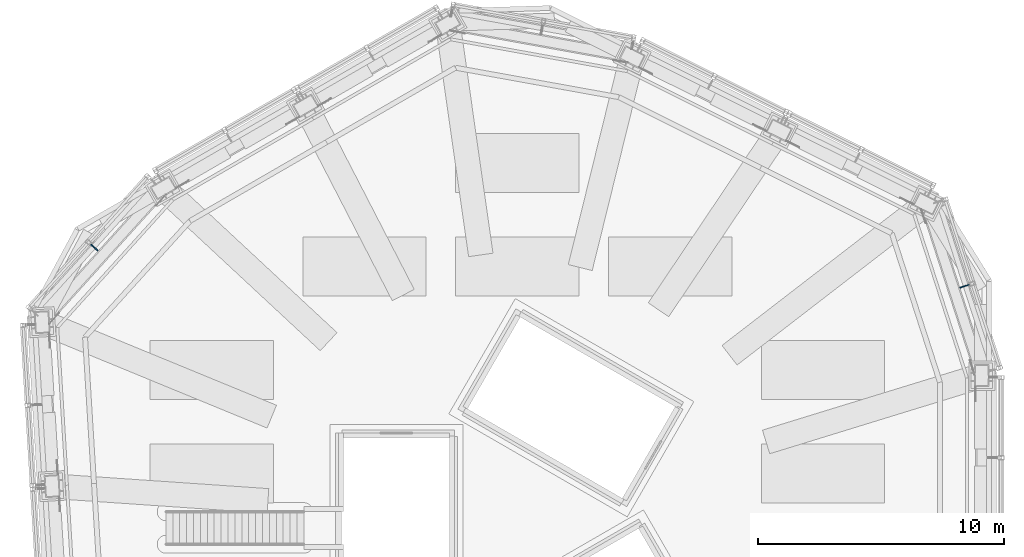
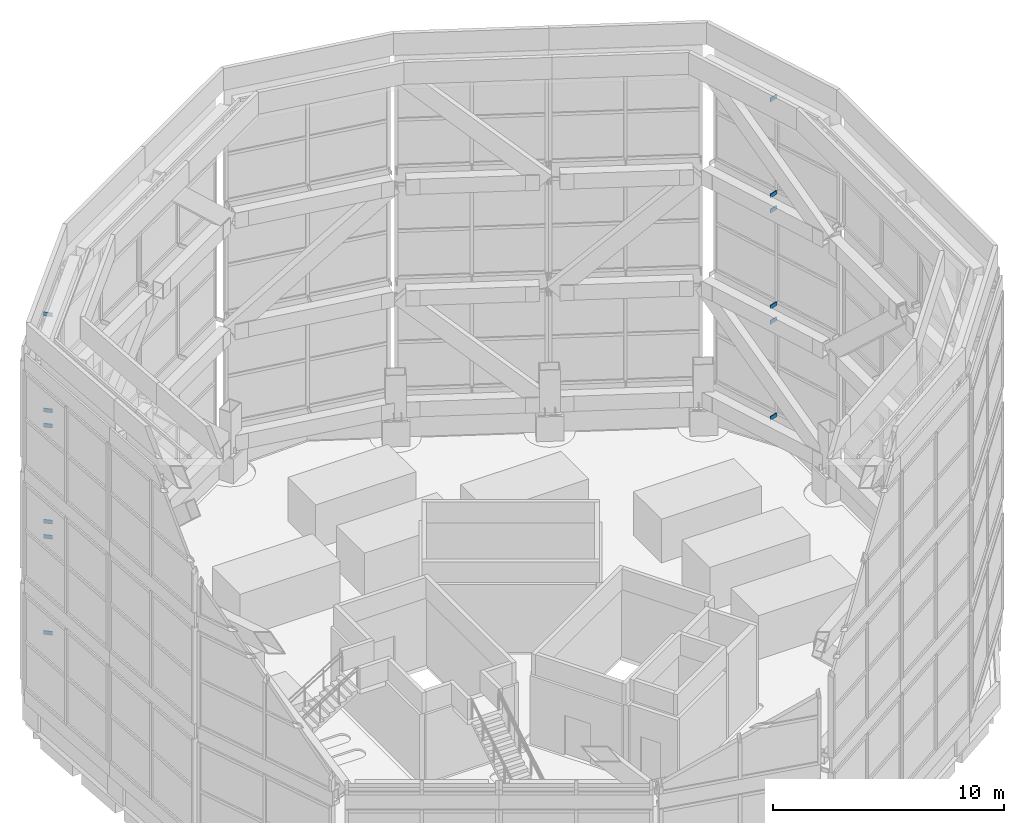
# One storey, part 38 of 46: 12 discrete accessories.
"""IFC4 building model written with IfcOpenShell, lengths in metres."""

import ifcopenshell
import ifcopenshell.guid

model = None  # the IFC model being written
_history = None  # IfcOwnerHistory: only IFC2X3 demands one
_inside = {}  # id of a spatial element -> (the spatial element, [elements in it])
_under = {}  # id of a project, library or spatial element -> (it, [spatial elements below it])
_declared = {}  # id of a project -> (the project, [libraries it declares])
_typed = {}  # id of a type object -> (the type object, [elements of that type])
_made_of = {}  # id of a material, layer set ... -> (it, [elements and type objects made of it])


def new_model(schema):
    """Start an empty IFC model of exactly this schema.

    Asked for "IFC4X3", IfcOpenShell would pick the latest addendum, in which some entities
    have other attributes; the version numbers below select the first issue.
    IFC2X3 requires an IfcOwnerHistory on every rooted entity: one is made here for all.
    """
    global model, _history
    if schema == "IFC4X3":
        model = ifcopenshell.file(schema_version=(4, 3, 0, 0))
    else:
        model = ifcopenshell.file(schema=schema)
    _inside.clear()
    _under.clear()
    _declared.clear()
    _typed.clear()
    _made_of.clear()
    _history = None
    if model.schema == "IFC2X3":
        org = make("IfcOrganization", Name="unknown")
        user = make(
            "IfcPersonAndOrganization",
            ThePerson=make("IfcPerson", FamilyName="unknown"),
            TheOrganization=org,
        )
        app = make(
            "IfcApplication",
            ApplicationDeveloper=org,
            Version="unknown",
            ApplicationFullName="unknown",
            ApplicationIdentifier="unknown",
        )
        _history = make(
            "IfcOwnerHistory",
            OwningUser=user,
            OwningApplication=app,
            ChangeAction="ADDED",
            CreationDate=0,
        )
    return model


def make(cls, **values):
    """One entity of the class cls with the attributes given. An attribute that is None is left unset."""
    return model.create_entity(
        cls, **{name: value for name, value in values.items() if value is not None}
    )


def rooted(cls, **values):
    """An entity with a GlobalId (a new one), such as an element, a storey or a relation."""
    return make(cls, GlobalId=ifcopenshell.guid.new(), OwnerHistory=_history, **values)


def si_unit(unit_type, name, prefix=None):
    """IfcSIUnit, for example si_unit("LENGTHUNIT", "METRE", prefix="MILLI")."""
    return make("IfcSIUnit", UnitType=unit_type, Prefix=prefix, Name=name)


def assignment(units):
    """IfcUnitAssignment: the units of a project."""
    return None if units is None else make("IfcUnitAssignment", Units=units)


def point(xyz):
    """IfcCartesianPoint."""
    return None if xyz is None else make("IfcCartesianPoint", Coordinates=xyz)


def direction(xyz):
    """IfcDirection."""
    return None if xyz is None else make("IfcDirection", DirectionRatios=xyz)


def frame(location, z_axis=None, x_axis=None):
    """IfcAxis2Placement3D, a coordinate frame: its origin and axes. An axis left out is left unset."""
    return make(
        "IfcAxis2Placement3D",
        Location=point(location),
        Axis=direction(z_axis),
        RefDirection=direction(x_axis),
    )


def frame_2d(location, x_axis=None):
    """IfcAxis2Placement2D, a coordinate frame in the plane: its origin and x axis."""
    return make(
        "IfcAxis2Placement2D", Location=point(location), RefDirection=direction(x_axis)
    )


def origin():
    """The frame at (0, 0, 0) with its axes left unset."""
    return frame((0.0, 0.0, 0.0))


def origin_2d():
    """The frame at (0, 0) in the plane with its x axis left unset."""
    return frame_2d((0.0, 0.0))


def place(relative_to, where):
    """IfcLocalPlacement: puts the frame where relative to a parent placement (None: the world)."""
    return make(
        "IfcLocalPlacement", PlacementRelTo=relative_to, RelativePlacement=where
    )


def context(
    kind, dimensions, precision=None, world=None, true_north=None, identifier=None
):
    """IfcGeometricRepresentationContext, for example the 3D "Model" context."""
    return make(
        "IfcGeometricRepresentationContext",
        ContextIdentifier=identifier,
        ContextType=kind,
        CoordinateSpaceDimension=dimensions,
        Precision=precision,
        WorldCoordinateSystem=world,
        TrueNorth=true_north,
    )


def subcontext(parent, identifier, kind, view, scale=None):
    """IfcGeometricRepresentationSubContext, for example "Body" below "Model"."""
    return make(
        "IfcGeometricRepresentationSubContext",
        ContextIdentifier=identifier,
        ContextType=kind,
        ParentContext=parent,
        TargetScale=scale,
        TargetView=view,
    )


def project(units=None, contexts=None):
    """IfcProject with its units and contexts."""
    return rooted(
        "IfcProject",
        Name="project",
        RepresentationContexts=contexts,
        UnitsInContext=assignment(units),
    )


def spatial(cls, under=None, at=None, **own):
    """A site, building, storey or space (cls), placed at a placement, below another one or the project."""
    s = rooted(cls, ObjectPlacement=at, **own)
    if under is not None:
        _under.setdefault(under.id(), (under, []))[1].append(s)
    return s


def profile(cls, at=None, kind="AREA", **sizes):
    """A parametric profile (cls). Its sizes go by their IFC names, for example OverallWidth=200.0."""
    return make(cls, ProfileType=kind, Position=at, **sizes)


def rectangle(**sizes):
    """IfcRectangleProfileDef."""
    return profile("IfcRectangleProfileDef", **sizes)


def extrude(swept, where, along, depth):
    """IfcExtrudedAreaSolid: the profile swept, set in the frame where, extruded along a direction by depth."""
    return make(
        "IfcExtrudedAreaSolid",
        SweptArea=swept,
        Position=where,
        ExtrudedDirection=direction(along),
        Depth=depth,
    )


def shape(context_of_items, identifier, shape_type, items):
    """IfcShapeRepresentation: the items that make up one representation, for example the "Body"."""
    return make(
        "IfcShapeRepresentation",
        ContextOfItems=context_of_items,
        RepresentationIdentifier=identifier,
        RepresentationType=shape_type,
        Items=items,
    )


def material(Name=None, Category=None):
    """IfcMaterial."""
    return make("IfcMaterial", Name=Name, Category=Category)


def made_of(thing, what):
    """Note that an element or type object is made of a material, layer set ...; save() writes the relation."""
    if what is not None:
        _made_of.setdefault(what.id(), (what, []))[1].append(thing)
    return thing


def type_object(cls, material=None, **own):
    """A type object (cls), such as IfcWallType, which elements share."""
    return made_of(rooted(cls, **own), material)


def element(
    cls,
    number,
    at=None,
    inside=None,
    cuts=None,
    type_object=None,
    material=None,
    context=None,
    identifier="Body",
    shape_type=None,
    held_by="IfcProductDefinitionShape",
    body=None,
    shapes=None,
    **own,
):
    """One element of the class cls, such as IfcWall. Its Tag is "e" and its number.

    at: its placement. inside: the storey or other place that contains it. cuts: it is an
    opening in that element (IfcRelVoidsElement). A single representation is given by context,
    identifier, shape_type and body (its items); several are given by shapes. held_by: the class
    of the entity that holds the representations. save() writes the other relations.
    """
    e = rooted(cls, Tag="e%d" % number, ObjectPlacement=at, **own)
    if body is not None:
        shapes = [shape(context, identifier, shape_type, body)]
    if shapes is not None:
        e.Representation = make(held_by, Representations=shapes)
    if inside is not None:
        _inside.setdefault(inside.id(), (inside, []))[1].append(e)
    if cuts is not None:
        rooted(
            "IfcRelVoidsElement", RelatingBuildingElement=cuts, RelatedOpeningElement=e
        )
    if type_object is not None:
        _typed.setdefault(type_object.id(), (type_object, []))[1].append(e)
    return made_of(e, material)


def aggregate(whole, parts):
    """IfcRelAggregates: a whole, such as a stair, and the parts it consists of."""
    return rooted("IfcRelAggregates", RelatingObject=whole, RelatedObjects=parts)


def save(model, path):
    """Write the relations noted so far, then the file.

    IfcRelAggregates (storeys below a building ...), IfcRelContainedInSpatialStructure (elements
    in a storey), IfcRelDefinesByType, IfcRelAssociatesMaterial and IfcRelDeclares: one each for
    every whole, place, type object, material and project.
    """
    for whole, parts in _under.values():
        aggregate(whole, parts)
    for where, things in _inside.values():
        rooted(
            "IfcRelContainedInSpatialStructure",
            RelatedElements=things,
            RelatingStructure=where,
        )
    for kind, things in _typed.values():
        rooted("IfcRelDefinesByType", RelatedObjects=things, RelatingType=kind)
    for what, things in _made_of.values():
        rooted("IfcRelAssociatesMaterial", RelatedObjects=things, RelatingMaterial=what)
    for by, libraries in _declared.values():
        rooted("IfcRelDeclares", RelatingContext=by, RelatedDefinitions=libraries)
    model.write(path)


model = new_model("IFC4")

# Units and contexts
model_context = context("Model", 3, precision=1e-05, world=origin(), true_north=direction((0.0, 1.0)))
body_context = subcontext(model_context, "Body", "Model", "MODEL_VIEW")
ifc_project = project(units=[si_unit("LENGTHUNIT", "METRE"), si_unit("AREAUNIT", "SQUARE_METRE"), si_unit("VOLUMEUNIT", "CUBIC_METRE"), si_unit("PLANEANGLEUNIT", "RADIAN"), si_unit("MASSUNIT", "GRAM", prefix="KILO")], contexts=[model_context])

# Site, building, storey
site_placement = place(None, origin())
site = spatial("IfcSite", under=ifc_project, at=site_placement, CompositionType="ELEMENT")
building_placement = place(site_placement, origin())
building = spatial("IfcBuilding", under=site, at=building_placement, Name="Vanh Sen Convention Tower", CompositionType="ELEMENT")
storey_placement = place(building_placement, frame((0.0, 0.0, 305.0)))
storey = spatial("IfcBuildingStorey", under=building, at=storey_placement, Name="Roof level", CompositionType="ELEMENT", Elevation=305.0)

# Discrete accessories
ifc_material = material(Name="Steel S355", Category="steel")
discrete_accessory_type = type_object("IfcDiscreteAccessoryType", Name="Crown screen bracket 40 x 200", PredefinedType="BRACKET", material=ifc_material)
for number, where, z_axis, x_axis, name in (
    (1, (18.099609375, 9.407958984375, 2.044921875), (0.0, 0.0, 1.0), (0.95147255766, 0.307733605607, 0.0), "Crown screen bracket 03-1-2"),
    (2, (18.099609375, 9.407958984375, 7.11328125), (0.0, 0.0, 1.0), (0.95147255766, 0.307733605607, 0.0), "Crown screen bracket 03-1-5"),
    (3, (18.099609375, 9.407958984375, 7.9130859375), (0.0, 0.0, 1.0), (0.95147255766, 0.307733605607, 0.0), "Crown screen bracket 03-2-2"),
    (4, (18.099609375, 9.407958984375, 12.98193359375), (0.0, 0.0, 1.0), (0.95147255766, 0.307733605607, 0.0), "Crown screen bracket 03-2-5"),
    (5, (18.099609375, 9.407958984375, 13.78173828125), (0.0, 0.0, 1.0), (0.95147255766, 0.307733605607, 0.0), "Crown screen bracket 03-3-2"),
    (6, (18.099609375, 9.407958984375, 18.85009765625), (0.0, 0.0, 1.0), (0.95147255766, 0.307733605607, 0.0), "Crown screen bracket 03-3-5"),
    (7, (-17.197509765625, 10.970703125, 2.044921875), (0.0, 0.0, 1.0), (-0.742232041995, 0.670142966713, 0.0), "Crown screen bracket 09-1-2"),
    (8, (-17.197509765625, 10.970703125, 7.11328125), (0.0, 0.0, 1.0), (-0.742232041995, 0.670142966713, 0.0), "Crown screen bracket 09-1-5"),
    (9, (-17.197509765625, 10.970703125, 7.9130859375), (0.0, 0.0, 1.0), (-0.742232041995, 0.670142966713, 0.0), "Crown screen bracket 09-2-2"),
    (10, (-17.197509765625, 10.970703125, 12.98193359375), (0.0, 0.0, 1.0), (-0.742232041995, 0.670142966713, 0.0), "Crown screen bracket 09-2-5"),
    (11, (-17.197509765625, 10.970703125, 13.78173828125), (0.0, 0.0, 1.0), (-0.742232041995, 0.670142966713, 0.0), "Crown screen bracket 09-3-2"),
    (12, (-17.197509765625, 10.970703125, 18.85009765625), (0.0, 0.0, 1.0), (-0.742232041995, 0.670142966713, 0.0), "Crown screen bracket 09-3-5"),
):
    element("IfcDiscreteAccessory", number, at=place(storey_placement, frame(where, z_axis=z_axis, x_axis=x_axis)), inside=storey, type_object=discrete_accessory_type, Name=name, PredefinedType="BRACKET", context=body_context, shape_type="SweptSolid", body=[
        extrude(rectangle(XDim=0.39990234375, YDim=0.0400390625, at=origin_2d()), origin(), (0.0, 0.0, 1.0), 0.199951171875),
    ])

save(model, "model.ifc")
